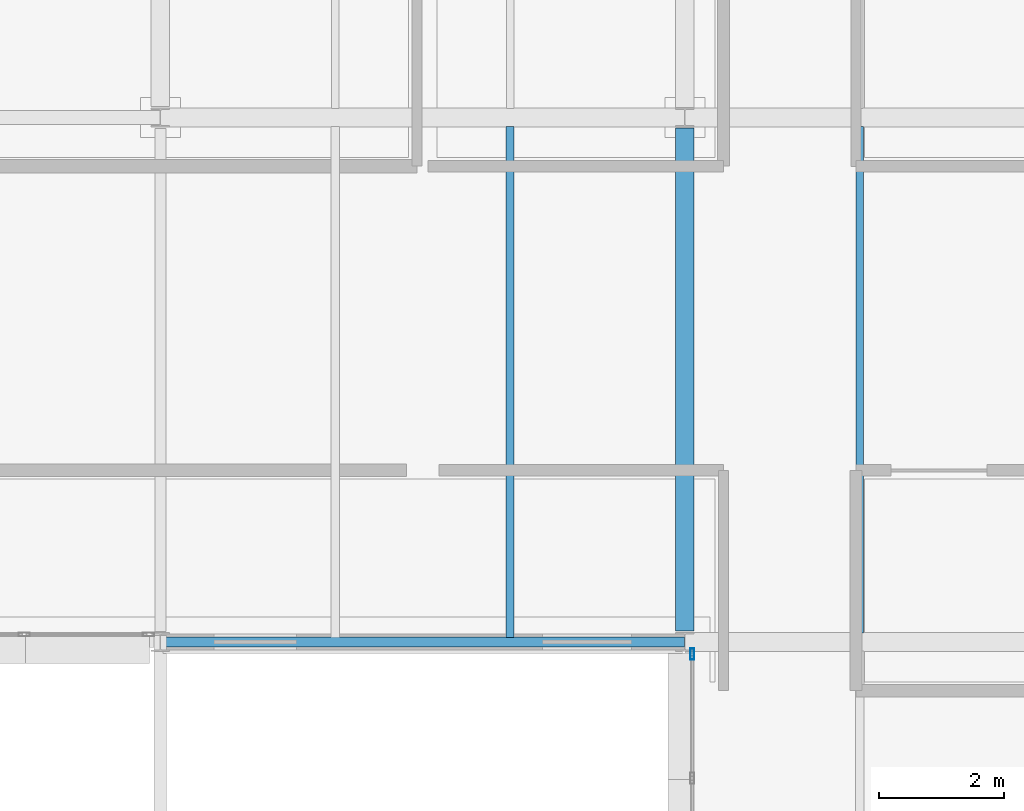
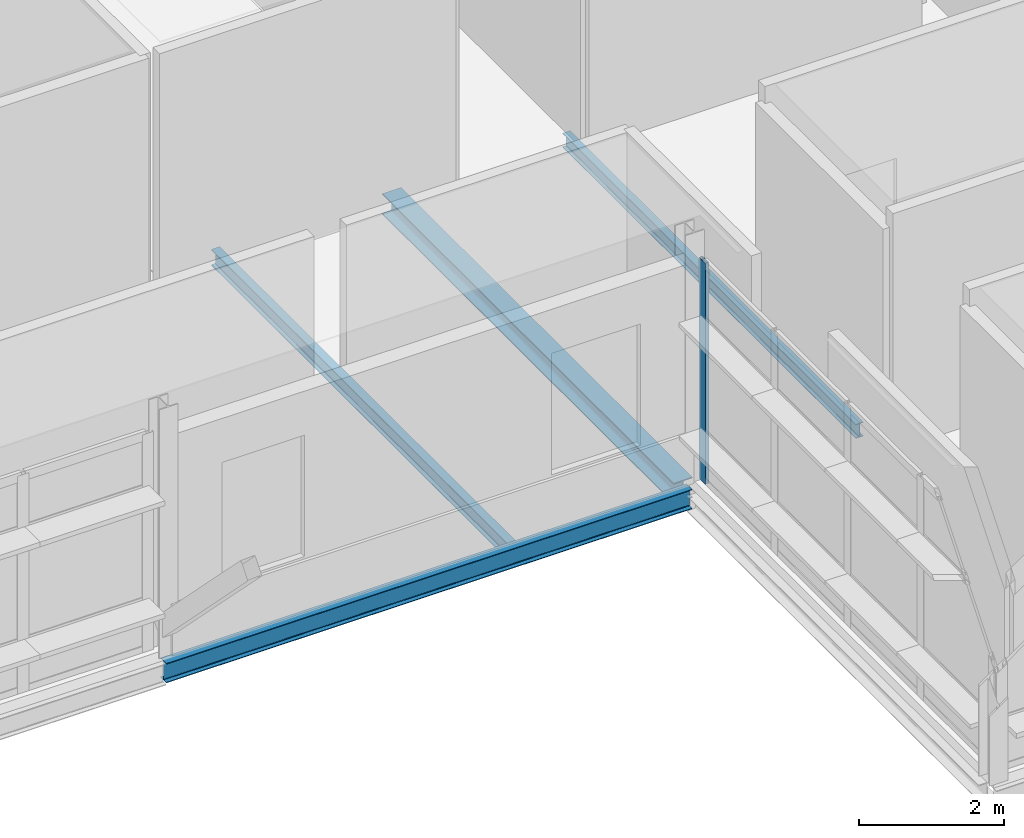
# One storey, part 17 of 35: 4 beams, 1 member, 1 element without a shape of its own.
"""IFC4 building model written with IfcOpenShell, lengths in metres."""

from ifc_helpers import new_model, si_unit, direction, frame, origin, origin_2d, place, context, subcontext, project, spatial, hollow_rectangle, i_section, extrude, material, material_profile, profile_set, type_object, element, aggregate, save


model = new_model("IFC4")

# Units and contexts
model_context = context("Model", 3, precision=1e-05, world=origin(), true_north=direction((0.0, 1.0)))
body_context = subcontext(model_context, "Body", "Model", "MODEL_VIEW")
ifc_project = project(units=[si_unit("LENGTHUNIT", "METRE"), si_unit("AREAUNIT", "SQUARE_METRE"), si_unit("VOLUMEUNIT", "CUBIC_METRE"), si_unit("PLANEANGLEUNIT", "RADIAN"), si_unit("MASSUNIT", "GRAM", prefix="KILO")], contexts=[model_context])

# Site, building, storey
site_placement = place(None, origin())
site = spatial("IfcSite", under=ifc_project, at=site_placement, CompositionType="ELEMENT")
building_placement = place(site_placement, origin())
building = spatial("IfcBuilding", under=site, at=building_placement, Name="Mersafa Astral City Hall", CompositionType="ELEMENT")
storey_placement = place(building_placement, frame((0.0, 0.0, 30.14990234375)))
storey = spatial("IfcBuildingStorey", under=building, at=storey_placement, Name="L07", CompositionType="ELEMENT", Elevation=30.14990234375)

# Curtain wall, member
ifc_material_1 = material(Name="Anodised bronze aluminium framing", Category="aluminium")
curtain_wall_type = type_object("IfcCurtainWallType", Name="ENV-CW-2", PredefinedType="USERDEFINED", material=ifc_material_1)
curtain_wall_placement = place(storey_placement, origin())
curtain_wall = element("IfcCurtainWall", 1, at=curtain_wall_placement, inside=storey, type_object=curtain_wall_type, Name="L07 Unitised solar curtain wall 277", ObjectType="UNITISED CURTAIN WALL", PredefinedType="USERDEFINED")
ifc_material_profile_1 = material_profile(ifc_material_1, hollow_rectangle(XDim=0.06005859375, YDim=0.179931640625, WallThickness=0.00390625, at=origin_2d()), Name="RHS 60x180x4")
ifc_profile_set_1 = profile_set([ifc_material_profile_1], Name="Anodised bronze aluminium framing")
member_type = type_object("IfcMemberType", Name="ENV-CW-MUL-1", PredefinedType="MULLION", material=ifc_profile_set_1)
member_placement = place(storey_placement, frame((142.919921875, 109.008056640625, -0.001953125), z_axis=(0.0, 0.0, 1.0), x_axis=(1.0, 0.0, 0.0)))
member = element("IfcMember", 2, at=member_placement, type_object=member_type, Name="CW-2 mullion 1", PredefinedType="MULLION", context=body_context, shape_type="SweptSolid", body=[
    extrude(hollow_rectangle(XDim=0.06005859375, YDim=0.179931640625, WallThickness=0.00390625, at=origin_2d()), origin(), (0.0, 0.0, 1.0), 3.72900390625),
])
aggregate(curtain_wall, [member])

# Beams
ifc_material_2 = material(Name="Steel S355", Category="steel")
ifc_material_profile_2 = material_profile(ifc_material_2, i_section(OverallWidth=0.300048828125, OverallDepth=0.35009765625, WebThickness=0.010009765625, FlangeThickness=0.017578125, FilletRadius=0.027099609375, at=origin_2d()), Name="HEA 360")
ifc_profile_set_2 = profile_set([ifc_material_profile_2], Name="Steel S355")
beam_type_1 = type_object("IfcBeamType", Name="STR-BM-HEA360", PredefinedType="BEAM", material=ifc_profile_set_2)
beam_1_placement = place(storey_placement, frame((142.800048828125, 109.375, -0.349853515625), z_axis=(0.0, 1.0, 0.0), x_axis=(-1.0, 0.0, 0.0)))
element("IfcBeam", 3, at=beam_1_placement, inside=storey, type_object=beam_type_1, Name="L07 Primary girder Y 17-13", PredefinedType="BEAM", context=body_context, shape_type="SweptSolid", body=[
    extrude(i_section(OverallWidth=0.300048828125, OverallDepth=0.35009765625, WebThickness=0.010009765625, FlangeThickness=0.017578125, FilletRadius=0.027099609375, at=origin_2d()), origin(), (0.0, 0.0, 1.0), 8.06005859375),
])
ifc_material_profile_3 = material_profile(ifc_material_2, i_section(OverallWidth=0.1201171875, OverallDepth=0.239990234375, WebThickness=0.006103515625, FlangeThickness=0.009765625, FilletRadius=0.014892578125, at=origin_2d()), Name="IPE 240")
ifc_profile_set_3 = profile_set([ifc_material_profile_3], Name="Steel S355")
beam_type_2 = type_object("IfcBeamType", Name="STR-BM-JOIST-IPE240", PredefinedType="JOIST", material=ifc_profile_set_3)
beam_2_placement = place(storey_placement, frame((145.60009765625, 109.344970703125, -0.294921875), z_axis=(0.0, 1.0, 0.0), x_axis=(-1.0, 0.0, 0.0)))
element("IfcBeam", 4, at=beam_2_placement, inside=storey, type_object=beam_type_2, Name="L07 Composite secondary floor joist 906", PredefinedType="JOIST", context=body_context, shape_type="SweptSolid", body=[
    extrude(i_section(OverallWidth=0.1201171875, OverallDepth=0.239990234375, WebThickness=0.006103515625, FlangeThickness=0.009765625, FilletRadius=0.014892578125, at=origin_2d()), origin(), (0.0, 0.0, 1.0), 8.110107421875),
])
ifc_material_profile_4 = material_profile(ifc_material_2, i_section(OverallWidth=0.135009765625, OverallDepth=0.27001953125, WebThickness=0.006591796875, FlangeThickness=0.01025390625, FilletRadius=0.014892578125, at=origin_2d()), Name="IPE 270")
ifc_profile_set_4 = profile_set([ifc_material_profile_4], Name="Steel S355")
beam_type_3 = type_object("IfcBeamType", Name="STR-BM-JOIST-IPE270", PredefinedType="JOIST", material=ifc_profile_set_4)
beam_3_placement = place(storey_placement, frame((140.0, 109.27490234375, -0.309814453125), z_axis=(0.0, 1.0, 0.0), x_axis=(-1.0, 0.0, 0.0)))
element("IfcBeam", 5, at=beam_3_placement, inside=storey, type_object=beam_type_3, Name="L07 Composite secondary floor joist 901", PredefinedType="JOIST", context=body_context, shape_type="SweptSolid", body=[
    extrude(i_section(OverallWidth=0.135009765625, OverallDepth=0.27001953125, WebThickness=0.006591796875, FlangeThickness=0.01025390625, FilletRadius=0.014892578125, at=origin_2d()), origin(), (0.0, 0.0, 1.0), 8.18017578125),
])
ifc_material_profile_5 = material_profile(ifc_material_2, i_section(OverallWidth=0.159912109375, OverallDepth=0.330078125, WebThickness=0.007568359375, FlangeThickness=0.011474609375, FilletRadius=0.01806640625, at=origin_2d()), Name="IPE 330")
ifc_profile_set_5 = profile_set([ifc_material_profile_5], Name="Steel S355")
beam_type_4 = type_object("IfcBeamType", Name="STR-BM-SPANDREL-IPE330", PredefinedType="SPANDREL", material=ifc_profile_set_5)
beam_4_placement = place(storey_placement, frame((134.403076171875, 109.199951171875, -0.33984375), z_axis=(1.0, 0.0, 0.0), x_axis=(0.0, 1.0, 0.0)))
element("IfcBeam", 6, at=beam_4_placement, inside=storey, type_object=beam_type_4, Name="L07 Primary girder X 16-13", PredefinedType="SPANDREL", context=body_context, shape_type="SweptSolid", body=[
    extrude(i_section(OverallWidth=0.159912109375, OverallDepth=0.330078125, WebThickness=0.007568359375, FlangeThickness=0.011474609375, FilletRadius=0.01806640625, at=origin_2d()), origin(), (0.0, 0.0, 1.0), 8.39404296875),
])

save(model, "model.ifc")
